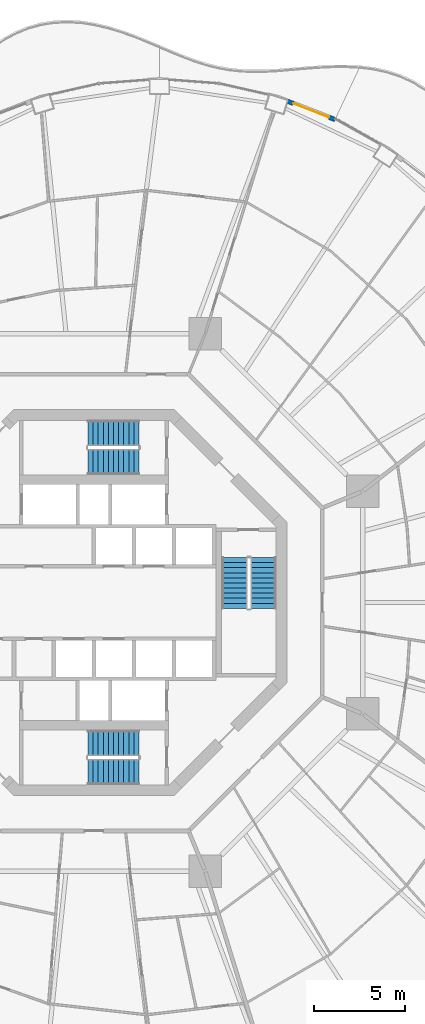
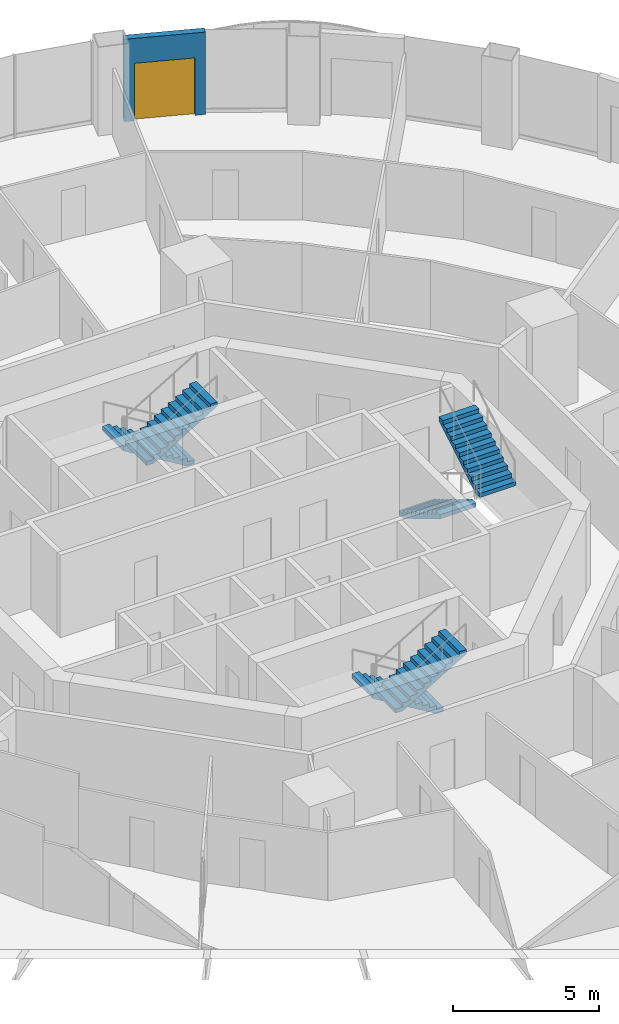
# One storey, part 16 of 19: 6 stair flights, 1 door, 1 wall, 1 opening, 3 elements without a shape of their own.
"""IFC4 building model written with IfcOpenShell, lengths in metres."""

from ifc_helpers import new_model, si_unit, direction, frame, frame_2d, origin, place, context, subcontext, project, spatial, polyline, rectangle, outline, extrude, material, layer, layer_set, type_object, element, fill, aggregate, save


model = new_model("IFC4")

# Units and contexts
model_context = context("Model", 3, precision=1e-05, world=origin(), true_north=direction((0.0, 1.0)))
body_context = subcontext(model_context, "Body", "Model", "MODEL_VIEW")
ifc_project = project(units=[si_unit("LENGTHUNIT", "METRE"), si_unit("AREAUNIT", "SQUARE_METRE"), si_unit("VOLUMEUNIT", "CUBIC_METRE"), si_unit("PLANEANGLEUNIT", "RADIAN"), si_unit("MASSUNIT", "GRAM", prefix="KILO")], contexts=[model_context])

# Site, building, storey
site_placement = place(None, origin())
site = spatial("IfcSite", under=ifc_project, at=site_placement, CompositionType="ELEMENT")
building_placement = place(site_placement, origin())
building = spatial("IfcBuilding", under=site, at=building_placement, Name="Nagisa Residences", CompositionType="ELEMENT")
storey_placement = place(building_placement, frame((0.0, 0.0, 195.5)))
storey = spatial("IfcBuildingStorey", under=building, at=storey_placement, Name="L49", CompositionType="ELEMENT", Elevation=195.5)

# Wall, opening, door
ifc_material_1 = material(Name="Precast concrete C40/50", Category="concrete")
ifc_layer = layer(ifc_material_1, 0.25)
ifc_layer_set = layer_set([ifc_layer], Name="BALCONY DOOR WALL 250")
wall_type = type_object("IfcWallType", Name="BALCONY DOOR WALL 250", PredefinedType="SOLIDWALL", material=ifc_layer_set)
wall_placement = place(storey_placement, frame((10.635498046875, 27.576416015625, 0.0), z_axis=(0.0, 0.0, 1.0), x_axis=(0.932806734513, -0.360377019311, 0.0)))
wall = element("IfcWall", 1, at=wall_placement, inside=storey, type_object=wall_type, Name="wall:L49:bay09", PredefinedType="SOLIDWALL", context=body_context, shape_type="SweptSolid", body=[
    extrude(rectangle(XDim=2.819580078125, YDim=0.25, at=frame_2d((1.40966796875, 0.0))), origin(), (0.0, 0.0, 1.0), 3.43994140625),
])
opening_placement = place(wall_placement, frame((0.359619140625, 0.0, 0.0)))
opening = element("IfcOpeningElement", 2, at=opening_placement, cuts=wall, Name="Opening BD-L49-04", PredefinedType="OPENING", context=body_context, shape_type="SweptSolid", body=[
    extrude(rectangle(XDim=2.10009765625, YDim=2.39990234375, at=frame_2d((1.050048828125, 1.199951171875))), frame((0.0, 0.135009765625, 0.0), z_axis=(0.0, -1.0, 0.0), x_axis=(1.0, 0.0, 0.0)), (0.0, 0.0, 1.0), 0.27001953125),
])
ifc_material_2 = material(Name="Aluminium and clear glass", Category="aluminium")
door_type = type_object("IfcDoorType", Name="BALCONY SLIDING DOOR 2100x2400", OperationType="SLIDING_TO_LEFT", PredefinedType="DOOR", material=ifc_material_2)
door_placement = place(opening_placement, origin())
door = element("IfcDoor", 3, at=door_placement, inside=storey, type_object=door_type, Name="door:L49:bay09", OperationType="SLIDING_TO_LEFT", OverallHeight=2.39990234375, OverallWidth=2.10009765625, PredefinedType="DOOR", context=body_context, shape_type="SweptSolid", body=[
    extrude(rectangle(XDim=2.10009765625, YDim=2.39990234375, at=frame_2d((1.050048828125, 1.199951171875))), frame((0.0, 0.02490234375, 0.0), z_axis=(0.0, -1.0, 0.0), x_axis=(1.0, 0.0, 0.0)), (0.0, 0.0, 1.0), 0.050048828125),
])
fill(opening, door)

# Stair, stair flights
ifc_material_3 = material(Name="Concrete C60", Category="concrete")
stair_type = type_object("IfcStairType", Name="Exit stair", PredefinedType="HALF_TURN_STAIR", material=ifc_material_3)
stair_1_placement = place(storey_placement, origin())
stair_1 = element("IfcStair", 4, at=stair_1_placement, inside=storey, type_object=stair_type, Name="L49 Exit stair E", PredefinedType="HALF_TURN_STAIR")
ifc_material_4 = material(Name="Concrete C60", Category="concrete")
stair_flight_type = type_object("IfcStairFlightType", Name="Exit stair flight", PredefinedType="STRAIGHT", material=ifc_material_4)
stair_flight_1_placement = place(storey_placement, frame((7.737060546875, 2.47509765625, 0.0), z_axis=(0.0, 0.0, 1.0), x_axis=(0.0, -1.0, 0.0)))
stair_flight_1 = element("IfcStairFlight", 5, at=stair_flight_1_placement, type_object=stair_flight_type, Name="ST-E flight 1", NumberOfRisers=11, NumberOfTreads=10, PredefinedType="STRAIGHT", RiserHeight=0.168181818, TreadLength=0.28, context=body_context, shape_type="SweptSolid", body=[
    extrude(outline(polyline([(0.0, 0.0), (0.0, 0.168212890625), (0.280029296875, 0.168212890625), (0.280029296875, 0.33642578125), (0.56005859375, 0.33642578125), (0.56005859375, 0.504638671875), (0.840087890625, 0.504638671875), (0.840087890625, 0.672607421875), (1.1201171875, 0.672607421875), (1.1201171875, 0.8408203125), (1.39990234375, 0.8408203125), (1.39990234375, 1.009033203125), (1.679931640625, 1.009033203125), (1.679931640625, 1.17724609375), (1.9599609375, 1.17724609375), (1.9599609375, 1.345458984375), (2.239990234375, 1.345458984375), (2.239990234375, 1.513671875), (2.52001953125, 1.513671875), (2.52001953125, 1.681884765625), (2.800048828125, 1.681884765625), (2.800048828125, 1.85009765625), (2.800048828125, 1.5068359375), (0.291015625, 0.0), (0.0, 0.0)])), frame((0.0, 0.71240234375, 0.0), z_axis=(0.0, -1.0, 0.0), x_axis=(1.0, 0.0, 0.0)), (0.0, 0.0, 1.0), 1.425048828125),
])
stair_flight_2_placement = place(storey_placement, frame((9.31201171875, -0.324951171875, 1.85009765625), z_axis=(0.0, 0.0, 1.0), x_axis=(0.0, 1.0, 0.0)))
stair_flight_2 = element("IfcStairFlight", 6, at=stair_flight_2_placement, type_object=stair_flight_type, Name="ST-E flight 2", NumberOfRisers=11, NumberOfTreads=10, PredefinedType="STRAIGHT", RiserHeight=0.168181818, TreadLength=0.28, context=body_context, shape_type="SweptSolid", body=[
    extrude(outline(polyline([(0.0, 0.0), (0.0, 0.168212890625), (0.280029296875, 0.168212890625), (0.280029296875, 0.33642578125), (0.56005859375, 0.33642578125), (0.56005859375, 0.504638671875), (0.840087890625, 0.504638671875), (0.840087890625, 0.672607421875), (1.1201171875, 0.672607421875), (1.1201171875, 0.8408203125), (1.39990234375, 0.8408203125), (1.39990234375, 1.009033203125), (1.679931640625, 1.009033203125), (1.679931640625, 1.17724609375), (1.9599609375, 1.17724609375), (1.9599609375, 1.345458984375), (2.239990234375, 1.345458984375), (2.239990234375, 1.513671875), (2.52001953125, 1.513671875), (2.52001953125, 1.681884765625), (2.800048828125, 1.681884765625), (2.800048828125, 1.85009765625), (2.800048828125, 1.5068359375), (0.291015625, 0.0), (0.0, 0.0)])), frame((0.0, 0.71240234375, 0.0), z_axis=(0.0, -1.0, 0.0), x_axis=(1.0, 0.0, 0.0)), (0.0, 0.0, 1.0), 1.425048828125),
])
aggregate(stair_1, [stair_flight_1, stair_flight_2])

stair_2_placement = place(storey_placement, origin())
stair_2 = element("IfcStair", 7, at=stair_2_placement, inside=storey, type_object=stair_type, Name="L49 Exit stair N", PredefinedType="HALF_TURN_STAIR")
stair_flight_3_placement = place(storey_placement, frame((2.47509765625, 9.31201171875, 0.0), z_axis=(0.0, 0.0, 1.0), x_axis=(-1.0, 0.0, 0.0)))
stair_flight_3 = element("IfcStairFlight", 8, at=stair_flight_3_placement, type_object=stair_flight_type, Name="ST-N flight 1", NumberOfRisers=11, NumberOfTreads=10, PredefinedType="STRAIGHT", RiserHeight=0.168181818, TreadLength=0.28, context=body_context, shape_type="SweptSolid", body=[
    extrude(outline(polyline([(0.0, 0.0), (0.0, 0.168212890625), (0.280029296875, 0.168212890625), (0.280029296875, 0.33642578125), (0.56005859375, 0.33642578125), (0.56005859375, 0.504638671875), (0.840087890625, 0.504638671875), (0.840087890625, 0.672607421875), (1.1201171875, 0.672607421875), (1.1201171875, 0.8408203125), (1.39990234375, 0.8408203125), (1.39990234375, 1.009033203125), (1.679931640625, 1.009033203125), (1.679931640625, 1.17724609375), (1.9599609375, 1.17724609375), (1.9599609375, 1.345458984375), (2.239990234375, 1.345458984375), (2.239990234375, 1.513671875), (2.52001953125, 1.513671875), (2.52001953125, 1.681884765625), (2.800048828125, 1.681884765625), (2.800048828125, 1.85009765625), (2.800048828125, 1.5068359375), (0.291015625, 0.0), (0.0, 0.0)])), frame((0.0, 0.71240234375, 0.0), z_axis=(0.0, -1.0, 0.0), x_axis=(1.0, 0.0, 0.0)), (0.0, 0.0, 1.0), 1.425048828125),
])
stair_flight_4_placement = place(storey_placement, frame((-0.324951171875, 7.737060546875, 1.85009765625), z_axis=(0.0, 0.0, 1.0), x_axis=(1.0, 0.0, 0.0)))
stair_flight_4 = element("IfcStairFlight", 9, at=stair_flight_4_placement, type_object=stair_flight_type, Name="ST-N flight 2", NumberOfRisers=11, NumberOfTreads=10, PredefinedType="STRAIGHT", RiserHeight=0.168181818, TreadLength=0.28, context=body_context, shape_type="SweptSolid", body=[
    extrude(outline(polyline([(0.0, 0.0), (0.0, 0.168212890625), (0.280029296875, 0.168212890625), (0.280029296875, 0.33642578125), (0.56005859375, 0.33642578125), (0.56005859375, 0.504638671875), (0.840087890625, 0.504638671875), (0.840087890625, 0.672607421875), (1.1201171875, 0.672607421875), (1.1201171875, 0.8408203125), (1.39990234375, 0.8408203125), (1.39990234375, 1.009033203125), (1.679931640625, 1.009033203125), (1.679931640625, 1.17724609375), (1.9599609375, 1.17724609375), (1.9599609375, 1.345458984375), (2.239990234375, 1.345458984375), (2.239990234375, 1.513671875), (2.52001953125, 1.513671875), (2.52001953125, 1.681884765625), (2.800048828125, 1.681884765625), (2.800048828125, 1.85009765625), (2.800048828125, 1.5068359375), (0.291015625, 0.0), (0.0, 0.0)])), frame((0.0, 0.71240234375, 0.0), z_axis=(0.0, -1.0, 0.0), x_axis=(1.0, 0.0, 0.0)), (0.0, 0.0, 1.0), 1.425048828125),
])
aggregate(stair_2, [stair_flight_3, stair_flight_4])

stair_3_placement = place(storey_placement, origin())
stair_3 = element("IfcStair", 10, at=stair_3_placement, inside=storey, type_object=stair_type, Name="L49 Exit stair S", PredefinedType="HALF_TURN_STAIR")
stair_flight_5_placement = place(storey_placement, frame((2.47509765625, -7.737060546875, 0.0), z_axis=(0.0, 0.0, 1.0), x_axis=(-1.0, 0.0, 0.0)))
stair_flight_5 = element("IfcStairFlight", 11, at=stair_flight_5_placement, type_object=stair_flight_type, Name="ST-S flight 1", NumberOfRisers=11, NumberOfTreads=10, PredefinedType="STRAIGHT", RiserHeight=0.168181818, TreadLength=0.28, context=body_context, shape_type="SweptSolid", body=[
    extrude(outline(polyline([(0.0, 0.0), (0.0, 0.168212890625), (0.280029296875, 0.168212890625), (0.280029296875, 0.33642578125), (0.56005859375, 0.33642578125), (0.56005859375, 0.504638671875), (0.840087890625, 0.504638671875), (0.840087890625, 0.672607421875), (1.1201171875, 0.672607421875), (1.1201171875, 0.8408203125), (1.39990234375, 0.8408203125), (1.39990234375, 1.009033203125), (1.679931640625, 1.009033203125), (1.679931640625, 1.17724609375), (1.9599609375, 1.17724609375), (1.9599609375, 1.345458984375), (2.239990234375, 1.345458984375), (2.239990234375, 1.513671875), (2.52001953125, 1.513671875), (2.52001953125, 1.681884765625), (2.800048828125, 1.681884765625), (2.800048828125, 1.85009765625), (2.800048828125, 1.5068359375), (0.291015625, 0.0), (0.0, 0.0)])), frame((0.0, 0.71240234375, 0.0), z_axis=(0.0, -1.0, 0.0), x_axis=(1.0, 0.0, 0.0)), (0.0, 0.0, 1.0), 1.425048828125),
])
stair_flight_6_placement = place(storey_placement, frame((-0.324951171875, -9.31201171875, 1.85009765625), z_axis=(0.0, 0.0, 1.0), x_axis=(1.0, 0.0, 0.0)))
stair_flight_6 = element("IfcStairFlight", 12, at=stair_flight_6_placement, type_object=stair_flight_type, Name="ST-S flight 2", NumberOfRisers=11, NumberOfTreads=10, PredefinedType="STRAIGHT", RiserHeight=0.168181818, TreadLength=0.28, context=body_context, shape_type="SweptSolid", body=[
    extrude(outline(polyline([(0.0, 0.0), (0.0, 0.168212890625), (0.280029296875, 0.168212890625), (0.280029296875, 0.33642578125), (0.56005859375, 0.33642578125), (0.56005859375, 0.504638671875), (0.840087890625, 0.504638671875), (0.840087890625, 0.672607421875), (1.1201171875, 0.672607421875), (1.1201171875, 0.8408203125), (1.39990234375, 0.8408203125), (1.39990234375, 1.009033203125), (1.679931640625, 1.009033203125), (1.679931640625, 1.17724609375), (1.9599609375, 1.17724609375), (1.9599609375, 1.345458984375), (2.239990234375, 1.345458984375), (2.239990234375, 1.513671875), (2.52001953125, 1.513671875), (2.52001953125, 1.681884765625), (2.800048828125, 1.681884765625), (2.800048828125, 1.85009765625), (2.800048828125, 1.5068359375), (0.291015625, 0.0), (0.0, 0.0)])), frame((0.0, 0.71240234375, 0.0), z_axis=(0.0, -1.0, 0.0), x_axis=(1.0, 0.0, 0.0)), (0.0, 0.0, 1.0), 1.425048828125),
])
aggregate(stair_3, [stair_flight_5, stair_flight_6])

save(model, "model.ifc")
